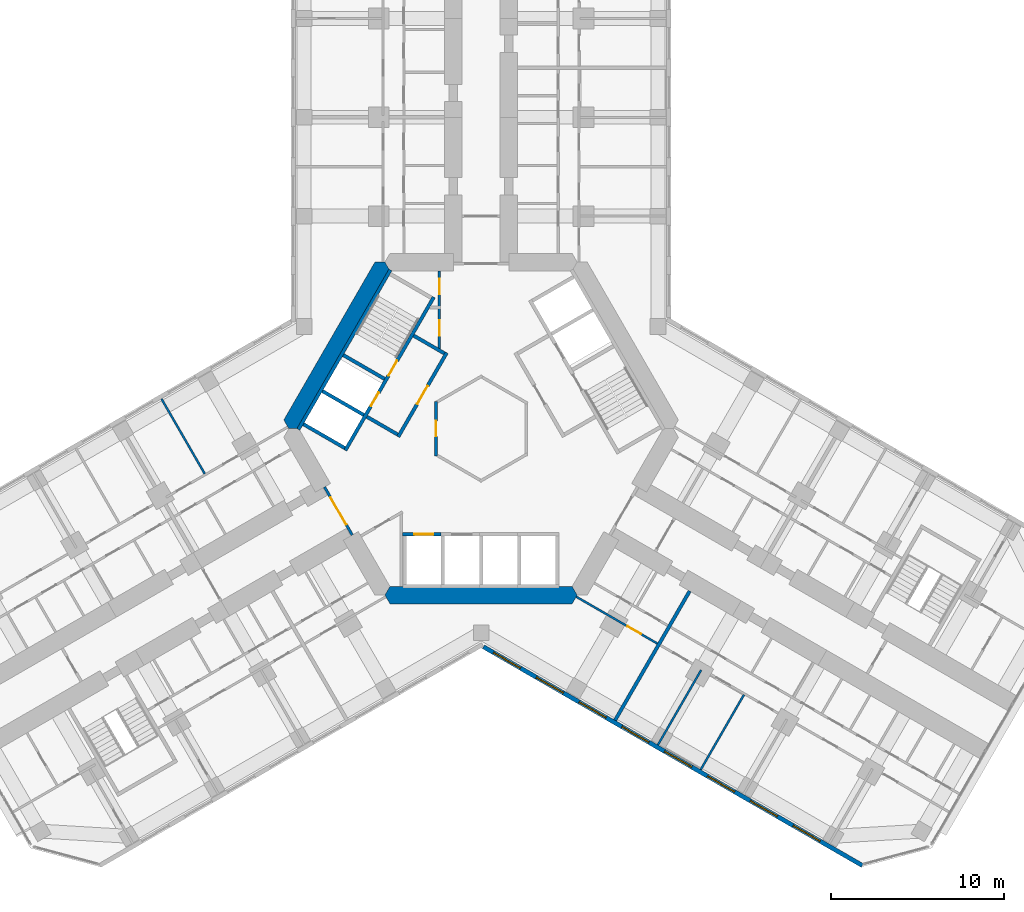
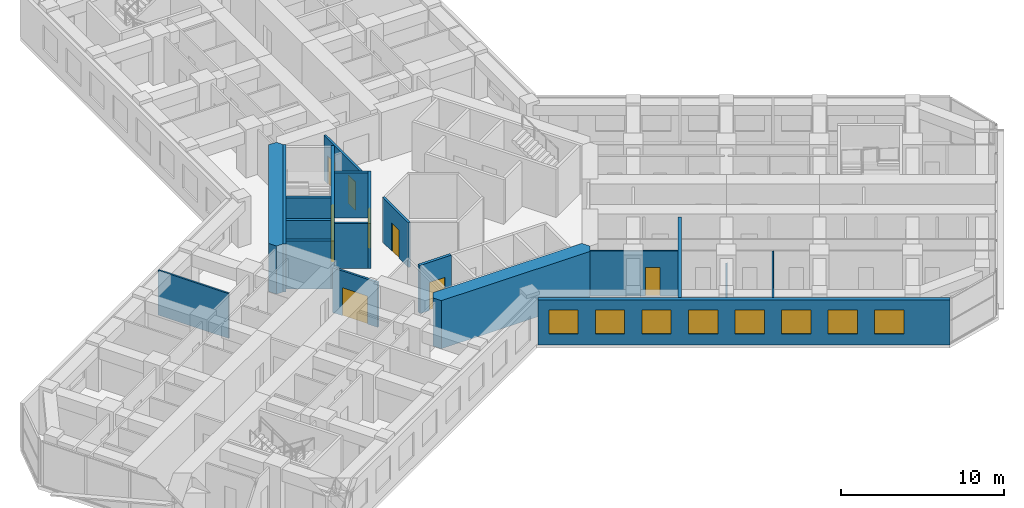
# One storey, part 13 of 21: 20 walls, 9 doors, 8 windows, 17 openings.
"""IFC4 building model written with IfcOpenShell, lengths in metres."""

from ifc_helpers import new_model, si_unit, direction, frame, frame_2d, origin, place, context, subcontext, project, spatial, polyline, rectangle, outline, extrude, material, layer, layer_set, type_object, element, fill, save


model = new_model("IFC4")

# Units and contexts
model_context = context("Model", 3, precision=1e-05, world=origin(), true_north=direction((0.0, 1.0)))
body_context = subcontext(model_context, "Body", "Model", "MODEL_VIEW")
ifc_project = project(units=[si_unit("LENGTHUNIT", "METRE"), si_unit("AREAUNIT", "SQUARE_METRE"), si_unit("VOLUMEUNIT", "CUBIC_METRE"), si_unit("PLANEANGLEUNIT", "RADIAN"), si_unit("MASSUNIT", "GRAM", prefix="KILO")], contexts=[model_context])

# Site, building, storey
site_placement = place(None, origin())
site = spatial("IfcSite", under=ifc_project, at=site_placement, CompositionType="ELEMENT")
building_placement = place(site_placement, origin())
building = spatial("IfcBuilding", under=site, at=building_placement, Name="Kosmar Iwan School Tower", CompositionType="ELEMENT")
storey_placement = place(building_placement, frame((0.0, 0.0, 84.39990234375)))
storey = spatial("IfcBuildingStorey", under=building, at=storey_placement, Name="L20", CompositionType="ELEMENT", Elevation=84.39990234375)

# Wall, openings, doors
ifc_material_1 = material(Name="Gypsum board on steel studs, fire-rated", Category="steel")
ifc_layer_1 = layer(ifc_material_1, 0.14990234375)
ifc_layer_set_1 = layer_set([ifc_layer_1], Name="Core room partition 150")
wall_type_1 = type_object("IfcWallType", Name="Core room partition 150", PredefinedType="PARTITIONING", material=ifc_layer_set_1)
wall_1_placement = place(storey_placement, frame((-2.39990234375, 9.094970703125, 0.0), z_axis=(0.0, 0.0, 1.0), x_axis=(0.0, -1.0, 0.0)))
wall_1 = element("IfcWall", 1, at=wall_1_placement, inside=storey, type_object=wall_type_1, Name="Core room partition L20-CW1", PredefinedType="PARTITIONING", context=body_context, shape_type="SweptSolid", body=[
    extrude(rectangle(XDim=4.564208984375, YDim=0.14990234375, at=frame_2d((2.2822265625, 0.0))), origin(), (0.0, 0.0, 1.0), 3.35009765625),
])
opening_1_placement = place(wall_1_placement, frame((0.455078125, 0.0, 0.0)))
opening_1 = element("IfcOpeningElement", 2, at=opening_1_placement, cuts=wall_1, Name="Opening D14", PredefinedType="OPENING", context=body_context, shape_type="SweptSolid", body=[
    extrude(rectangle(XDim=0.89990234375, YDim=2.10009765625, at=frame_2d((0.449951171875, 1.050048828125))), frame((0.0, 0.0869140625, 0.0), z_axis=(0.0, -1.0, 0.0), x_axis=(1.0, 0.0, 0.0)), (0.0, 0.0, 1.0), 0.173828125),
])
opening_2_placement = place(wall_1_placement, frame((2.85498046875, 0.0, 0.0)))
opening_2 = element("IfcOpeningElement", 3, at=opening_2_placement, cuts=wall_1, Name="Opening D14", PredefinedType="OPENING", context=body_context, shape_type="SweptSolid", body=[
    extrude(rectangle(XDim=0.89990234375, YDim=2.10009765625, at=frame_2d((0.449951171875, 1.050048828125))), frame((0.0, 0.0869140625, 0.0), z_axis=(0.0, -1.0, 0.0), x_axis=(1.0, 0.0, 0.0)), (0.0, 0.0, 1.0), 0.173828125),
])
ifc_material_2 = material(Name="Timber fire door in steel frame", Category="steel")
door_type_1 = type_object("IfcDoorType", Name="Core room door 900x2100", OperationType="SINGLE_SWING_LEFT", PredefinedType="DOOR", material=ifc_material_2)
door_1_placement = place(opening_1_placement, origin())
door_1 = element("IfcDoor", 4, at=door_1_placement, inside=storey, type_object=door_type_1, Name="Electrical riser and switch room door L20 1", OperationType="SINGLE_SWING_LEFT", OverallHeight=2.10009765625, OverallWidth=0.89990234375, PredefinedType="DOOR", context=body_context, shape_type="SweptSolid", body=[
    extrude(rectangle(XDim=0.89990234375, YDim=2.10009765625, at=frame_2d((0.449951171875, 1.050048828125))), frame((0.0, 0.02490234375, 0.0), z_axis=(0.0, -1.0, 0.0), x_axis=(1.0, 0.0, 0.0)), (0.0, 0.0, 1.0), 0.050048828125),
])
fill(opening_1, door_1)
door_2_placement = place(opening_2_placement, origin())
door_2 = element("IfcDoor", 5, at=door_2_placement, inside=storey, type_object=door_type_1, Name="Plumbing and wet riser door L20 2", OperationType="SINGLE_SWING_RIGHT", OverallHeight=2.10009765625, OverallWidth=0.89990234375, PredefinedType="DOOR", context=body_context, shape_type="SweptSolid", body=[
    extrude(rectangle(XDim=0.89990234375, YDim=2.10009765625, at=frame_2d((0.449951171875, 1.050048828125))), frame((0.0, 0.02490234375, 0.0), z_axis=(0.0, -1.0, 0.0), x_axis=(1.0, 0.0, 0.0)), (0.0, 0.0, 1.0), 0.050048828125),
])
fill(opening_2, door_2)

# Wall, opening, door
wall_2_placement = place(storey_placement, frame((-2.60009765625, -1.576171875, 0.0), z_axis=(0.0, 0.0, 1.0), x_axis=(0.0, 1.0, 0.0)))
wall_2 = element("IfcWall", 6, at=wall_2_placement, inside=storey, type_object=wall_type_1, Name="Core room partition L20-CW6", PredefinedType="PARTITIONING", context=body_context, shape_type="SweptSolid", body=[
    extrude(rectangle(XDim=3.15234375, YDim=0.14990234375, at=frame_2d((1.576171875, 0.0))), origin(), (0.0, 0.0, 1.0), 3.35009765625),
])
opening_3_placement = place(wall_2_placement, frame((1.1259765625, 0.0, 0.0)))
opening_3 = element("IfcOpeningElement", 7, at=opening_3_placement, cuts=wall_2, Name="Opening D14", PredefinedType="OPENING", context=body_context, shape_type="SweptSolid", body=[
    extrude(rectangle(XDim=0.89990234375, YDim=2.10009765625, at=frame_2d((0.449951171875, 1.050048828125))), frame((0.0, 0.0869140625, 0.0), z_axis=(0.0, -1.0, 0.0), x_axis=(1.0, 0.0, 0.0)), (0.0, 0.0, 1.0), 0.173828125),
])
door_3_placement = place(opening_3_placement, origin())
door_3 = element("IfcDoor", 8, at=door_3_placement, inside=storey, type_object=door_type_1, Name="Bicycle repair room door L20 3", OperationType="SINGLE_SWING_RIGHT", OverallHeight=2.10009765625, OverallWidth=0.89990234375, PredefinedType="DOOR", context=body_context, shape_type="SweptSolid", body=[
    extrude(rectangle(XDim=0.89990234375, YDim=2.10009765625, at=frame_2d((0.449951171875, 1.050048828125))), frame((0.0, 0.02490234375, 0.0), z_axis=(0.0, -1.0, 0.0), x_axis=(1.0, 0.0, 0.0)), (0.0, 0.0, 1.0), 0.050048828125),
])
fill(opening_3, door_3)

# Walls
ifc_material_3 = material(Name="Concrete C50/60", Category="concrete")
ifc_layer_2 = layer(ifc_material_3, 1.0)
ifc_layer_set_2 = layer_set([ifc_layer_2], Name="Core wall 1000")
wall_type_2 = type_object("IfcWallType", Name="Core wall 1000", PredefinedType="SHEAR", material=ifc_layer_set_2)
wall_3_placement = place(storey_placement, origin())
element("IfcWall", 9, at=wall_3_placement, inside=storey, type_object=wall_type_2, Name="Core wall F150", PredefinedType="SHEAR", context=body_context, shape_type="SweptSolid", body=[
    extrude(outline(polyline([(-11.085205078125, 0.0), (-10.5078125, 0.0), (-5.25390625, 9.10009765625), (-5.54248046875, 9.60009765625), (-6.119873046875, 9.60009765625), (-11.373779296875, 0.5), (-11.085205078125, 0.0)])), origin(), (0.0, 0.0, 1.0), 3.60009765625),
])
wall_4_placement = place(storey_placement, origin())
element("IfcWall", 10, at=wall_4_placement, inside=storey, type_object=wall_type_2, Name="Core wall F270", PredefinedType="SHEAR", context=body_context, shape_type="SweptSolid", body=[
    extrude(outline(polyline([(-5.25390625, -10.10009765625), (5.25390625, -10.10009765625), (5.54248046875, -9.60009765625), (5.25390625, -9.10009765625), (-5.25390625, -9.10009765625), (-5.54248046875, -9.60009765625), (-5.25390625, -10.10009765625)])), origin(), (0.0, 0.0, 1.0), 3.60009765625),
])

# Wall, opening, door
ifc_material_4 = material(Name="Steel framed glazed screen", Category="steel")
ifc_layer_3 = layer(ifc_material_4, 0.14990234375)
ifc_layer_set_3 = layer_set([ifc_layer_3], Name="Corridor screen wall 150")
wall_type_3 = type_object("IfcWallType", Name="Corridor screen wall 150", PredefinedType="PARTITIONING", material=ifc_layer_set_3)
wall_5_placement = place(storey_placement, frame((-9.02734375, -3.3642578125, 0.0), z_axis=(0.0, 0.0, 1.0), x_axis=(0.499995408039, -0.866028054938, 0.0)))
wall_5 = element("IfcWall", 11, at=wall_5_placement, inside=storey, type_object=wall_type_3, Name="Corridor screen B L20", PredefinedType="PARTITIONING", context=body_context, shape_type="SweptSolid", body=[
    extrude(rectangle(XDim=3.2001953125, YDim=0.14990234375, at=frame_2d((1.60009765625, 0.0))), origin(), (0.0, 0.0, 1.0), 3.35009765625),
])
opening_4_placement = place(wall_5_placement, frame((0.699951171875, 0.0, 0.0)))
opening_4 = element("IfcOpeningElement", 12, at=opening_4_placement, cuts=wall_5, Name="Opening D9", PredefinedType="OPENING", context=body_context, shape_type="SweptSolid", body=[
    extrude(rectangle(XDim=1.800048828125, YDim=2.10009765625, at=frame_2d((0.89990234375, 1.050048828125))), frame((0.0, 0.0869140625, 0.0), z_axis=(0.0, -1.0, 0.0), x_axis=(1.0, 0.0, 0.0)), (0.0, 0.0, 1.0), 0.173828125),
])
ifc_material_5 = material(Name="Steel framed glazed smoke door", Category="steel")
door_type_2 = type_object("IfcDoorType", Name="Corridor smoke door pair 1800x2100", OperationType="DOUBLE_DOOR_DOUBLE_SWING", PredefinedType="DOOR", material=ifc_material_5)
door_4_placement = place(opening_4_placement, origin())
door_4 = element("IfcDoor", 13, at=door_4_placement, inside=storey, type_object=door_type_2, Name="Corridor doors B L20", OperationType="DOUBLE_DOOR_DOUBLE_SWING", OverallHeight=2.10009765625, OverallWidth=1.800048828125, PredefinedType="DOOR", context=body_context, shape_type="SweptSolid", body=[
    extrude(rectangle(XDim=1.800048828125, YDim=2.10009765625, at=frame_2d((0.89990234375, 1.050048828125))), frame((0.0, 0.02490234375, 0.0), z_axis=(0.0, -1.0, 0.0), x_axis=(1.0, 0.0, 0.0)), (0.0, 0.0, 1.0), 0.050048828125),
])
fill(opening_4, door_4)

# Wall
ifc_material_6 = material(Name="Gypsum board on steel studs", Category="steel")
ifc_layer_4 = layer(ifc_material_6, 0.1201171875)
ifc_layer_set_4 = layer_set([ifc_layer_4], Name="Dwelling partition 120")
wall_type_4 = type_object("IfcWallType", Name="Dwelling partition 120", PredefinedType="PARTITIONING", material=ifc_layer_set_4)
wall_6_placement = place(storey_placement, frame((-15.931884765625, -2.60498046875, 0.0), z_axis=(0.0, 0.0, 1.0), x_axis=(-0.500011847778, 0.866018563358, 0.0)))
element("IfcWall", 14, at=wall_6_placement, inside=storey, type_object=wall_type_4, Name="Partition L20-BR1-X1", PredefinedType="PARTITIONING", context=body_context, shape_type="SweptSolid", body=[
    extrude(rectangle(XDim=4.990234375, YDim=0.1201171875, at=frame_2d((2.4951171875, 0.0))), origin(), (0.0, 0.0, 1.0), 3.35009765625),
])

# Wall, opening, door
wall_7_placement = place(storey_placement, frame((5.48876953125, -9.693115234375, 0.0), z_axis=(0.0, 0.0, 1.0), x_axis=(0.866028230842, -0.499995103361, 0.0)))
wall_7 = element("IfcWall", 15, at=wall_7_placement, inside=storey, type_object=wall_type_4, Name="Partition L20-CR1-W2", PredefinedType="PARTITIONING", context=body_context, shape_type="SweptSolid", body=[
    extrude(rectangle(XDim=5.39990234375, YDim=0.1201171875, at=frame_2d((2.699951171875, 0.0))), origin(), (0.0, 0.0, 1.0), 3.35009765625),
])
opening_5_placement = place(wall_7_placement, frame((3.39990234375, 0.0, 0.0)))
opening_5 = element("IfcOpeningElement", 16, at=opening_5_placement, cuts=wall_7, Name="Opening D2", PredefinedType="OPENING", context=body_context, shape_type="SweptSolid", body=[
    extrude(rectangle(XDim=0.89990234375, YDim=2.10009765625, at=frame_2d((0.449951171875, 1.050048828125))), frame((0.0, 0.072021484375, 0.0), z_axis=(0.0, -1.0, 0.0), x_axis=(1.0, 0.0, 0.0)), (0.0, 0.0, 1.0), 0.14404296875),
])
ifc_material_7 = material(Name="Timber door in timber frame", Category="wood")
door_type_3 = type_object("IfcDoorType", Name="Internal door 900x2100", OperationType="SINGLE_SWING_LEFT", PredefinedType="DOOR", material=ifc_material_7)
door_5_placement = place(opening_5_placement, origin())
door_5 = element("IfcDoor", 17, at=door_5_placement, inside=storey, type_object=door_type_3, Name="Studio living room and kitchen door L20-CR1-F1", OperationType="SINGLE_SWING_RIGHT", OverallHeight=2.10009765625, OverallWidth=0.89990234375, PredefinedType="DOOR", context=body_context, shape_type="SweptSolid", body=[
    extrude(rectangle(XDim=0.89990234375, YDim=2.10009765625, at=frame_2d((0.449951171875, 1.050048828125))), frame((0.0, 0.02490234375, 0.0), z_axis=(0.0, -1.0, 0.0), x_axis=(1.0, 0.0, 0.0)), (0.0, 0.0, 1.0), 0.050048828125),
])
fill(opening_5, door_5)

# Walls
wall_8_placement = place(storey_placement, frame((12.690185546875, -13.919921875, 0.0), z_axis=(0.0, 0.0, 1.0), x_axis=(-0.500011847778, -0.866018563358, 0.0)))
element("IfcWall", 18, at=wall_8_placement, inside=storey, type_object=wall_type_4, Name="Partition L20-CR2-X1", PredefinedType="PARTITIONING", context=body_context, shape_type="SweptSolid", body=[
    extrude(rectangle(XDim=4.990234375, YDim=0.1201171875, at=frame_2d((2.4951171875, 0.0))), origin(), (0.0, 0.0, 1.0), 2.4501953125),
])
wall_9_placement = place(storey_placement, frame((15.158447265625, -15.344970703125, 0.0), z_axis=(0.0, 0.0, 1.0), x_axis=(-0.500011847778, -0.866018563358, 0.0)))
element("IfcWall", 19, at=wall_9_placement, inside=storey, type_object=wall_type_4, Name="Partition L20-CR2-X2", PredefinedType="PARTITIONING", context=body_context, shape_type="SweptSolid", body=[
    extrude(rectangle(XDim=4.990234375, YDim=0.1201171875, at=frame_2d((2.4951171875, 0.0))), origin(), (0.0, 0.0, 1.0), 3.35009765625),
])

# Wall, openings, windows
ifc_material_8 = material(Name="Black aluminium rainscreen on insulated framing", Category="aluminium")
ifc_layer_5 = layer(ifc_material_8, 0.25)
ifc_layer_set_5 = layer_set([ifc_layer_5], Name="External wall rainscreen 250")
wall_type_5 = type_object("IfcWallType", Name="External wall rainscreen 250", PredefinedType="SOLIDWALL", material=ifc_layer_set_5)
wall_10_placement = place(storey_placement, frame((0.137939453125, -12.5791015625, 0.0), z_axis=(0.0, 0.0, 1.0), x_axis=(0.866023775649, -0.500002820003, 0.0)))
wall_10 = element("IfcWall", 20, at=wall_10_placement, inside=storey, type_object=wall_type_5, Name="External wall CR L20", PredefinedType="SOLIDWALL", context=body_context, shape_type="SweptSolid", body=[
    extrude(rectangle(XDim=25.226318359375, YDim=0.25, at=frame_2d((12.61328125, 0.0))), origin(), (0.0, 0.0, 1.0), 3.35009765625),
])
opening_6_placement = place(wall_10_placement, frame((0.666015625, 0.0, 0.800048828125)))
opening_6 = element("IfcOpeningElement", 21, at=opening_6_placement, cuts=wall_10, Name="Opening W1", PredefinedType="OPENING", context=body_context, shape_type="SweptSolid", body=[
    extrude(rectangle(XDim=1.800048828125, YDim=1.800048828125, at=frame_2d((0.89990234375, 0.89990234375))), frame((0.0, 0.136962890625, 0.0), z_axis=(0.0, -1.0, 0.0), x_axis=(1.0, 0.0, 0.0)), (0.0, 0.0, 1.0), 0.27392578125),
])
opening_7_placement = place(wall_10_placement, frame((3.51611328125, 0.0, 0.800048828125)))
opening_7 = element("IfcOpeningElement", 22, at=opening_7_placement, cuts=wall_10, Name="Opening W1", PredefinedType="OPENING", context=body_context, shape_type="SweptSolid", body=[
    extrude(rectangle(XDim=1.800048828125, YDim=1.800048828125, at=frame_2d((0.89990234375, 0.89990234375))), frame((0.0, 0.136962890625, 0.0), z_axis=(0.0, -1.0, 0.0), x_axis=(1.0, 0.0, 0.0)), (0.0, 0.0, 1.0), 0.27392578125),
])
opening_8_placement = place(wall_10_placement, frame((6.365966796875, 0.0, 0.800048828125)))
opening_8 = element("IfcOpeningElement", 23, at=opening_8_placement, cuts=wall_10, Name="Opening W1", PredefinedType="OPENING", context=body_context, shape_type="SweptSolid", body=[
    extrude(rectangle(XDim=1.800048828125, YDim=1.800048828125, at=frame_2d((0.89990234375, 0.89990234375))), frame((0.0, 0.136962890625, 0.0), z_axis=(0.0, -1.0, 0.0), x_axis=(1.0, 0.0, 0.0)), (0.0, 0.0, 1.0), 0.27392578125),
])
opening_9_placement = place(wall_10_placement, frame((9.216064453125, 0.0, 0.800048828125)))
opening_9 = element("IfcOpeningElement", 24, at=opening_9_placement, cuts=wall_10, Name="Opening W1", PredefinedType="OPENING", context=body_context, shape_type="SweptSolid", body=[
    extrude(rectangle(XDim=1.800048828125, YDim=1.800048828125, at=frame_2d((0.89990234375, 0.89990234375))), frame((0.0, 0.136962890625, 0.0), z_axis=(0.0, -1.0, 0.0), x_axis=(1.0, 0.0, 0.0)), (0.0, 0.0, 1.0), 0.27392578125),
])
opening_10_placement = place(wall_10_placement, frame((12.06591796875, 0.0, 0.800048828125)))
opening_10 = element("IfcOpeningElement", 25, at=opening_10_placement, cuts=wall_10, Name="Opening W1", PredefinedType="OPENING", context=body_context, shape_type="SweptSolid", body=[
    extrude(rectangle(XDim=1.800048828125, YDim=1.800048828125, at=frame_2d((0.89990234375, 0.89990234375))), frame((0.0, 0.136962890625, 0.0), z_axis=(0.0, -1.0, 0.0), x_axis=(1.0, 0.0, 0.0)), (0.0, 0.0, 1.0), 0.27392578125),
])
opening_11_placement = place(wall_10_placement, frame((14.916015625, 0.0, 0.800048828125)))
opening_11 = element("IfcOpeningElement", 26, at=opening_11_placement, cuts=wall_10, Name="Opening W1", PredefinedType="OPENING", context=body_context, shape_type="SweptSolid", body=[
    extrude(rectangle(XDim=1.800048828125, YDim=1.800048828125, at=frame_2d((0.89990234375, 0.89990234375))), frame((0.0, 0.136962890625, 0.0), z_axis=(0.0, -1.0, 0.0), x_axis=(1.0, 0.0, 0.0)), (0.0, 0.0, 1.0), 0.27392578125),
])
opening_12_placement = place(wall_10_placement, frame((17.76611328125, 0.0, 0.800048828125)))
opening_12 = element("IfcOpeningElement", 27, at=opening_12_placement, cuts=wall_10, Name="Opening W1", PredefinedType="OPENING", context=body_context, shape_type="SweptSolid", body=[
    extrude(rectangle(XDim=1.800048828125, YDim=1.800048828125, at=frame_2d((0.89990234375, 0.89990234375))), frame((0.0, 0.136962890625, 0.0), z_axis=(0.0, -1.0, 0.0), x_axis=(1.0, 0.0, 0.0)), (0.0, 0.0, 1.0), 0.27392578125),
])
opening_13_placement = place(wall_10_placement, frame((20.615966796875, 0.0, 0.800048828125)))
opening_13 = element("IfcOpeningElement", 28, at=opening_13_placement, cuts=wall_10, Name="Opening W1", PredefinedType="OPENING", context=body_context, shape_type="SweptSolid", body=[
    extrude(rectangle(XDim=1.800048828125, YDim=1.800048828125, at=frame_2d((0.89990234375, 0.89990234375))), frame((0.0, 0.136962890625, 0.0), z_axis=(0.0, -1.0, 0.0), x_axis=(1.0, 0.0, 0.0)), (0.0, 0.0, 1.0), 0.27392578125),
])
ifc_material_9 = material(Name="Black aluminium frame with dark triple glazing", Category="aluminium")
window_type = type_object("IfcWindowType", Name="Window 1800x1800", PartitioningType="SINGLE_PANEL", PredefinedType="WINDOW", material=ifc_material_9)
window_1_placement = place(opening_6_placement, origin())
window_1 = element("IfcWindow", 29, at=window_1_placement, inside=storey, type_object=window_type, Name="Window CR L20 -1", OverallHeight=1.800048828125, OverallWidth=1.800048828125, PartitioningType="SINGLE_PANEL", PredefinedType="WINDOW", context=body_context, shape_type="SweptSolid", body=[
    extrude(rectangle(XDim=1.800048828125, YDim=1.800048828125, at=frame_2d((0.89990234375, 0.89990234375))), frame((0.0, 0.030029296875, 0.0), z_axis=(0.0, -1.0, 0.0), x_axis=(1.0, 0.0, 0.0)), (0.0, 0.0, 1.0), 0.06005859375),
])
fill(opening_6, window_1)
window_2_placement = place(opening_7_placement, origin())
window_2 = element("IfcWindow", 30, at=window_2_placement, inside=storey, type_object=window_type, Name="Window CR L20 0", OverallHeight=1.800048828125, OverallWidth=1.800048828125, PartitioningType="SINGLE_PANEL", PredefinedType="WINDOW", context=body_context, shape_type="SweptSolid", body=[
    extrude(rectangle(XDim=1.800048828125, YDim=1.800048828125, at=frame_2d((0.89990234375, 0.89990234375))), frame((0.0, 0.030029296875, 0.0), z_axis=(0.0, -1.0, 0.0), x_axis=(1.0, 0.0, 0.0)), (0.0, 0.0, 1.0), 0.06005859375),
])
fill(opening_7, window_2)
window_3_placement = place(opening_8_placement, origin())
window_3 = element("IfcWindow", 31, at=window_3_placement, inside=storey, type_object=window_type, Name="Window CR L20 1", OverallHeight=1.800048828125, OverallWidth=1.800048828125, PartitioningType="SINGLE_PANEL", PredefinedType="WINDOW", context=body_context, shape_type="SweptSolid", body=[
    extrude(rectangle(XDim=1.800048828125, YDim=1.800048828125, at=frame_2d((0.89990234375, 0.89990234375))), frame((0.0, 0.030029296875, 0.0), z_axis=(0.0, -1.0, 0.0), x_axis=(1.0, 0.0, 0.0)), (0.0, 0.0, 1.0), 0.06005859375),
])
fill(opening_8, window_3)
window_4_placement = place(opening_9_placement, origin())
window_4 = element("IfcWindow", 32, at=window_4_placement, inside=storey, type_object=window_type, Name="Window CR L20 2", OverallHeight=1.800048828125, OverallWidth=1.800048828125, PartitioningType="SINGLE_PANEL", PredefinedType="WINDOW", context=body_context, shape_type="SweptSolid", body=[
    extrude(rectangle(XDim=1.800048828125, YDim=1.800048828125, at=frame_2d((0.89990234375, 0.89990234375))), frame((0.0, 0.030029296875, 0.0), z_axis=(0.0, -1.0, 0.0), x_axis=(1.0, 0.0, 0.0)), (0.0, 0.0, 1.0), 0.06005859375),
])
fill(opening_9, window_4)
window_5_placement = place(opening_10_placement, origin())
window_5 = element("IfcWindow", 33, at=window_5_placement, inside=storey, type_object=window_type, Name="Window CR L20 3", OverallHeight=1.800048828125, OverallWidth=1.800048828125, PartitioningType="SINGLE_PANEL", PredefinedType="WINDOW", context=body_context, shape_type="SweptSolid", body=[
    extrude(rectangle(XDim=1.800048828125, YDim=1.800048828125, at=frame_2d((0.89990234375, 0.89990234375))), frame((0.0, 0.030029296875, 0.0), z_axis=(0.0, -1.0, 0.0), x_axis=(1.0, 0.0, 0.0)), (0.0, 0.0, 1.0), 0.06005859375),
])
fill(opening_10, window_5)
window_6_placement = place(opening_11_placement, origin())
window_6 = element("IfcWindow", 34, at=window_6_placement, inside=storey, type_object=window_type, Name="Window CR L20 4", OverallHeight=1.800048828125, OverallWidth=1.800048828125, PartitioningType="SINGLE_PANEL", PredefinedType="WINDOW", context=body_context, shape_type="SweptSolid", body=[
    extrude(rectangle(XDim=1.800048828125, YDim=1.800048828125, at=frame_2d((0.89990234375, 0.89990234375))), frame((0.0, 0.030029296875, 0.0), z_axis=(0.0, -1.0, 0.0), x_axis=(1.0, 0.0, 0.0)), (0.0, 0.0, 1.0), 0.06005859375),
])
fill(opening_11, window_6)
window_7_placement = place(opening_12_placement, origin())
window_7 = element("IfcWindow", 35, at=window_7_placement, inside=storey, type_object=window_type, Name="Window CR L20 5", OverallHeight=1.800048828125, OverallWidth=1.800048828125, PartitioningType="SINGLE_PANEL", PredefinedType="WINDOW", context=body_context, shape_type="SweptSolid", body=[
    extrude(rectangle(XDim=1.800048828125, YDim=1.800048828125, at=frame_2d((0.89990234375, 0.89990234375))), frame((0.0, 0.030029296875, 0.0), z_axis=(0.0, -1.0, 0.0), x_axis=(1.0, 0.0, 0.0)), (0.0, 0.0, 1.0), 0.06005859375),
])
fill(opening_12, window_7)
window_8_placement = place(opening_13_placement, origin())
window_8 = element("IfcWindow", 36, at=window_8_placement, inside=storey, type_object=window_type, Name="Window CR L20 6", OverallHeight=1.800048828125, OverallWidth=1.800048828125, PartitioningType="SINGLE_PANEL", PredefinedType="WINDOW", context=body_context, shape_type="SweptSolid", body=[
    extrude(rectangle(XDim=1.800048828125, YDim=1.800048828125, at=frame_2d((0.89990234375, 0.89990234375))), frame((0.0, 0.030029296875, 0.0), z_axis=(0.0, -1.0, 0.0), x_axis=(1.0, 0.0, 0.0)), (0.0, 0.0, 1.0), 0.06005859375),
])
fill(opening_13, window_8)

# Wall, opening, door
ifc_material_10 = material(Name="Concrete block masonry", Category="masonry")
ifc_layer_6 = layer(ifc_material_10, 0.199951171875)
ifc_layer_set_6 = layer_set([ifc_layer_6], Name="Fire lobby wall 200")
wall_type_6 = type_object("IfcWallType", Name="Fire lobby wall 200", PredefinedType="PARTITIONING", material=ifc_layer_set_6)
wall_11_placement = place(storey_placement, frame((-1.9775390625, 4.374755859375, 0.0), z_axis=(0.0, 0.0, 1.0), x_axis=(-0.500016814911, -0.866015695474, 0.0)))
wall_11 = element("IfcWall", 37, at=wall_11_placement, inside=storey, type_object=wall_type_6, Name="Firefighting lobby wall ST2", PredefinedType="PARTITIONING", context=body_context, shape_type="SweptSolid", body=[
    extrude(rectangle(XDim=5.599853515625, YDim=0.199951171875, at=frame_2d((2.7998046875, 0.0))), origin(), (0.0, 0.0, 1.0), 3.35009765625),
])
opening_14_placement = place(wall_11_placement, frame((2.199951171875, 0.0, 0.0)))
opening_14 = element("IfcOpeningElement", 38, at=opening_14_placement, cuts=wall_11, Name="Opening D7", PredefinedType="OPENING", context=body_context, shape_type="SweptSolid", body=[
    extrude(rectangle(XDim=1.199951171875, YDim=2.10009765625, at=frame_2d((0.60009765625, 1.050048828125))), frame((0.0, 0.112060546875, 0.0), z_axis=(0.0, -1.0, 0.0), x_axis=(1.0, 0.0, 0.0)), (0.0, 0.0, 1.0), 0.223876953125),
])
ifc_material_11 = material(Name="Steel fire door", Category="steel")
door_type_4 = type_object("IfcDoorType", Name="Fire lobby door 1200x2100", OperationType="SINGLE_SWING_LEFT", PredefinedType="DOOR", material=ifc_material_11)
door_6_placement = place(opening_14_placement, frame((1.199951171875, 0.0, 0.0), z_axis=(0.0, 0.0, 1.0), x_axis=(-1.0, 0.0, 0.0)))
door_6 = element("IfcDoor", 39, at=door_6_placement, inside=storey, type_object=door_type_4, Name="Firefighting lobby door ST2 L20", OperationType="SINGLE_SWING_LEFT", OverallHeight=2.10009765625, OverallWidth=1.199951171875, PredefinedType="DOOR", context=body_context, shape_type="SweptSolid", body=[
    extrude(rectangle(XDim=1.199951171875, YDim=2.10009765625, at=frame_2d((0.60009765625, 1.050048828125))), frame((0.0, 0.02490234375, 0.0), z_axis=(0.0, -1.0, 0.0), x_axis=(1.0, 0.0, 0.0)), (0.0, 0.0, 1.0), 0.050048828125),
])
fill(opening_14, door_6)

# Walls
wall_12_placement = place(storey_placement, frame((-2.114013671875, 4.33837890625, 0.0), z_axis=(0.0, 0.0, 1.0), x_axis=(-0.866050731258, 0.499956128963, 0.0)))
element("IfcWall", 40, at=wall_12_placement, inside=storey, type_object=wall_type_6, Name="Firefighting lobby wall ST2", PredefinedType="PARTITIONING", context=body_context, shape_type="SweptSolid", body=[
    extrude(rectangle(XDim=2.050048828125, YDim=0.199951171875, at=frame_2d((1.02490234375, 0.0))), origin(), (0.0, 0.0, 1.0), 3.35009765625),
])
wall_13_placement = place(storey_placement, frame((-4.814208984375, -0.33837890625, 0.0), z_axis=(0.0, 0.0, 1.0), x_axis=(-0.865969381856, 0.500097020274, 0.0)))
element("IfcWall", 41, at=wall_13_placement, inside=storey, type_object=wall_type_6, Name="Firefighting lobby wall ST2", PredefinedType="PARTITIONING", context=body_context, shape_type="SweptSolid", body=[
    extrude(rectangle(XDim=2.0498046875, YDim=0.199951171875, at=frame_2d((1.02490234375, 0.0))), origin(), (0.0, 0.0, 1.0), 3.35009765625),
])

# Wall, openings, doors
ifc_material_12 = material(Name="Concrete C50/60", Category="concrete")
ifc_layer_7 = layer(ifc_material_12, 0.199951171875)
ifc_layer_set_7 = layer_set([ifc_layer_7], Name="Lift shaft wall 200")
wall_type_7 = type_object("IfcWallType", Name="Lift shaft wall 200", PredefinedType="SHEAR", material=ifc_layer_set_7)
wall_14_placement = place(storey_placement, frame((-2.72607421875, 7.578369140625, 0.0), z_axis=(0.0, 0.0, 1.0), x_axis=(-0.500005610874, -0.86602216432, 0.0)))
wall_14 = element("IfcWall", 42, at=wall_14_placement, inside=storey, type_object=wall_type_7, Name="Lift and stair front wall AB", PredefinedType="SHEAR", context=body_context, shape_type="SweptSolid", body=[
    extrude(rectangle(XDim=10.2001953125, YDim=0.199951171875, at=frame_2d((5.10009765625, 0.0))), origin(), (0.0, 0.0, 1.0), 3.60009765625),
])
opening_15_placement = place(wall_14_placement, frame((6.35009765625, 0.0, 0.0)))
opening_15 = element("IfcOpeningElement", 43, at=opening_15_placement, cuts=wall_14, Name="Opening LD2", PredefinedType="OPENING", context=body_context, shape_type="SweptSolid", body=[
    extrude(rectangle(XDim=0.89990234375, YDim=2.10009765625, at=frame_2d((0.449951171875, 1.050048828125))), frame((0.0, 0.112060546875, 0.0), z_axis=(0.0, -1.0, 0.0), x_axis=(1.0, 0.0, 0.0)), (0.0, 0.0, 1.0), 0.223876953125),
])
opening_16_placement = place(wall_14_placement, frame((4.22998046875, 0.0, 0.0)))
opening_16 = element("IfcOpeningElement", 44, at=opening_16_placement, cuts=wall_14, Name="Opening D6", PredefinedType="OPENING", context=body_context, shape_type="SweptSolid", body=[
    extrude(rectangle(XDim=1.0, YDim=2.10009765625, at=frame_2d((0.5, 1.050048828125))), frame((0.0, 0.112060546875, 0.0), z_axis=(0.0, -1.0, 0.0), x_axis=(1.0, 0.0, 0.0)), (0.0, 0.0, 1.0), 0.223876953125),
])
ifc_material_13 = material(Name="Stainless steel sliding lift door", Category="steel")
door_type_5 = type_object("IfcDoorType", Name="Firefighting lift landing door 900x2100", OperationType="SLIDING_TO_LEFT", PredefinedType="DOOR", material=ifc_material_13)
door_7_placement = place(opening_15_placement, origin())
door_7 = element("IfcDoor", 45, at=door_7_placement, inside=storey, type_object=door_type_5, Name="Lift FF2 landing door L20", OperationType="SLIDING_TO_LEFT", OverallHeight=2.10009765625, OverallWidth=0.89990234375, PredefinedType="DOOR", context=body_context, shape_type="SweptSolid", body=[
    extrude(rectangle(XDim=0.89990234375, YDim=2.10009765625, at=frame_2d((0.449951171875, 1.050048828125))), frame((0.0, 0.02490234375, 0.0), z_axis=(0.0, -1.0, 0.0), x_axis=(1.0, 0.0, 0.0)), (0.0, 0.0, 1.0), 0.050048828125),
])
fill(opening_15, door_7)
ifc_material_14 = material(Name="Steel fire door", Category="steel")
door_type_6 = type_object("IfcDoorType", Name="Stair door 1000x2100", OperationType="SINGLE_SWING_LEFT", PredefinedType="DOOR", material=ifc_material_14)
door_8_placement = place(opening_16_placement, origin())
door_8 = element("IfcDoor", 46, at=door_8_placement, inside=storey, type_object=door_type_6, Name="Stair ST2 door L20", OperationType="SINGLE_SWING_LEFT", OverallHeight=2.10009765625, OverallWidth=1.0, PredefinedType="DOOR", context=body_context, shape_type="SweptSolid", body=[
    extrude(rectangle(XDim=1.0, YDim=2.10009765625, at=frame_2d((0.5, 1.050048828125))), frame((0.0, 0.02490234375, 0.0), z_axis=(0.0, -1.0, 0.0), x_axis=(1.0, 0.0, 0.0)), (0.0, 0.0, 1.0), 0.050048828125),
])
fill(opening_16, door_8)

# Walls
wall_15_placement = place(storey_placement, frame((-5.22509765625, 9.14990234375, 0.0), z_axis=(0.0, 0.0, 1.0), x_axis=(-0.499994998079, -0.866028291626, 0.0)))
element("IfcWall", 47, at=wall_15_placement, inside=storey, type_object=wall_type_7, Name="Lift and stair back wall AB", PredefinedType="SHEAR", context=body_context, shape_type="SweptSolid", body=[
    extrude(rectangle(XDim=10.623046875, YDim=0.199951171875, at=frame_2d((5.3115234375, 0.0))), origin(), (0.0, 0.0, 1.0), 3.60009765625),
])
for number, where, z_axis, x_axis, name in (
    (48, (-6.7626953125, 0.78662109375, 0.0), (0.0, 0.0, 1.0), (-0.866027397988, 0.499996545922, 0.0), "Lift shaft wall AB 1"),
    (49, (-7.862548828125, -1.118408203125, 0.0), (0.0, 0.0, 1.0), (-0.866027397988, 0.499996545922, 0.0), "Lift shaft wall AB 2"),
):
    element("IfcWall", number, at=place(storey_placement, frame(where, z_axis=z_axis, x_axis=x_axis)), inside=storey, type_object=wall_type_7, Name=name, PredefinedType="SHEAR", context=body_context, shape_type="SweptSolid", body=[
        extrude(rectangle(XDim=2.75, YDim=0.199951171875, at=frame_2d((1.375, 0.0))), origin(), (0.0, 0.0, 1.0), 3.60009765625),
    ])

# Wall, opening, door
wall_16_placement = place(storey_placement, frame((-4.52490234375, -6.10009765625, 0.0), z_axis=(0.0, 0.0, 1.0), x_axis=(1.0, 0.0, 0.0)))
wall_16 = element("IfcWall", 50, at=wall_16_placement, inside=storey, type_object=wall_type_7, Name="Lift and stair front wall BC", PredefinedType="SHEAR", context=body_context, shape_type="SweptSolid", body=[
    extrude(rectangle(XDim=2.224853515625, YDim=0.199951171875, at=frame_2d((1.1123046875, 0.0))), origin(), (0.0, 0.0, 1.0), 3.60009765625),
])
opening_17_placement = place(wall_16_placement, frame((0.675048828125, 0.0, 0.0)))
opening_17 = element("IfcOpeningElement", 51, at=opening_17_placement, cuts=wall_16, Name="Opening LD1", PredefinedType="OPENING", context=body_context, shape_type="SweptSolid", body=[
    extrude(rectangle(XDim=1.10009765625, YDim=2.10009765625, at=frame_2d((0.550048828125, 1.050048828125))), frame((0.0, 0.112060546875, 0.0), z_axis=(0.0, -1.0, 0.0), x_axis=(1.0, 0.0, 0.0)), (0.0, 0.0, 1.0), 0.223876953125),
])
ifc_material_15 = material(Name="Stainless steel sliding lift door", Category="steel")
door_type_7 = type_object("IfcDoorType", Name="Lift landing door 1100x2100", OperationType="SLIDING_TO_LEFT", PredefinedType="DOOR", material=ifc_material_15)
door_9_placement = place(opening_17_placement, origin())
door_9 = element("IfcDoor", 52, at=door_9_placement, inside=storey, type_object=door_type_7, Name="Lift PL1 landing door L20", OperationType="SLIDING_TO_LEFT", OverallHeight=2.10009765625, OverallWidth=1.10009765625, PredefinedType="DOOR", context=body_context, shape_type="SweptSolid", body=[
    extrude(rectangle(XDim=1.10009765625, YDim=2.10009765625, at=frame_2d((0.550048828125, 1.050048828125))), frame((0.0, 0.02490234375, 0.0), z_axis=(0.0, -1.0, 0.0), x_axis=(1.0, 0.0, 0.0)), (0.0, 0.0, 1.0), 0.050048828125),
])
fill(opening_17, door_9)

# Walls
ifc_material_16 = material(Name="Concrete block masonry", Category="masonry")
ifc_layer_8 = layer(ifc_material_16, 0.199951171875)
ifc_layer_set_8 = layer_set([ifc_layer_8], Name="Party wall 200")
wall_type_8 = type_object("IfcWallType", Name="Party wall 200", PredefinedType="PARTITIONING", material=ifc_layer_set_8)
wall_17_placement = place(storey_placement, frame((12.027099609375, -9.36865234375, 0.0), z_axis=(0.0, 0.0, 1.0), x_axis=(-0.500007509209, -0.866021068297, 0.0)))
element("IfcWall", 53, at=wall_17_placement, inside=storey, type_object=wall_type_8, Name="Partition L20-CR2-PW", PredefinedType="PARTITIONING", context=body_context, shape_type="SweptSolid", body=[
    extrude(rectangle(XDim=8.599853515625, YDim=0.199951171875, at=frame_2d((4.2998046875, 0.0))), origin(), (0.0, 0.0, 1.0), 3.35009765625),
])
ifc_material_17 = material(Name="Concrete C50/60", Category="concrete")
ifc_layer_9 = layer(ifc_material_17, 0.199951171875)
ifc_layer_set_9 = layer_set([ifc_layer_9], Name="Stair enclosure wall 200")
wall_type_9 = type_object("IfcWallType", Name="Stair enclosure wall 200", PredefinedType="SHEAR", material=ifc_layer_set_9)
wall_18_placement = place(storey_placement, frame((-5.562744140625, 2.865234375, 0.0), z_axis=(0.0, 0.0, 1.0), x_axis=(-0.866027397988, 0.499996545922, 0.0)))
element("IfcWall", 54, at=wall_18_placement, inside=storey, type_object=wall_type_9, Name="Stair ST2 wall", PredefinedType="SHEAR", context=body_context, shape_type="SweptSolid", body=[
    extrude(rectangle(XDim=2.75, YDim=0.199951171875, at=frame_2d((1.375, 0.0))), origin(), (0.0, 0.0, 1.0), 3.60009765625),
])

save(model, "model.ifc")
